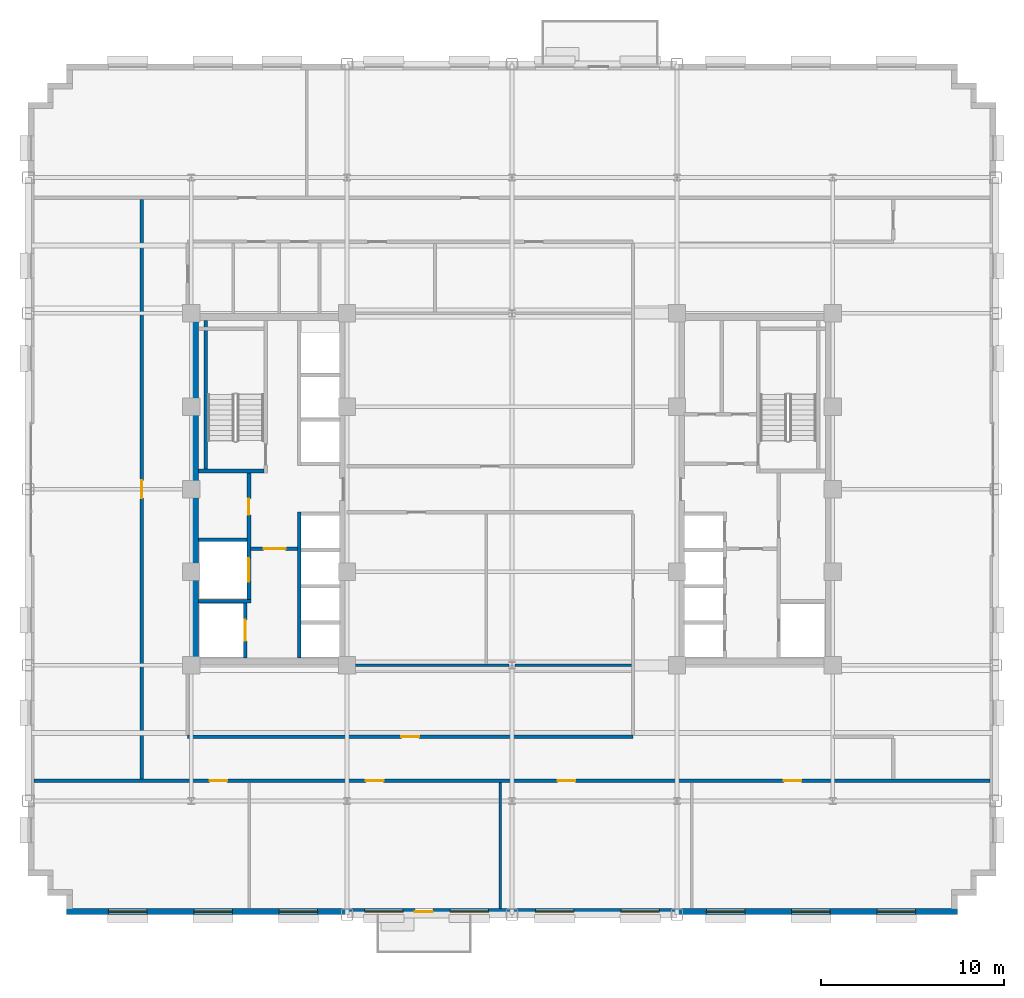
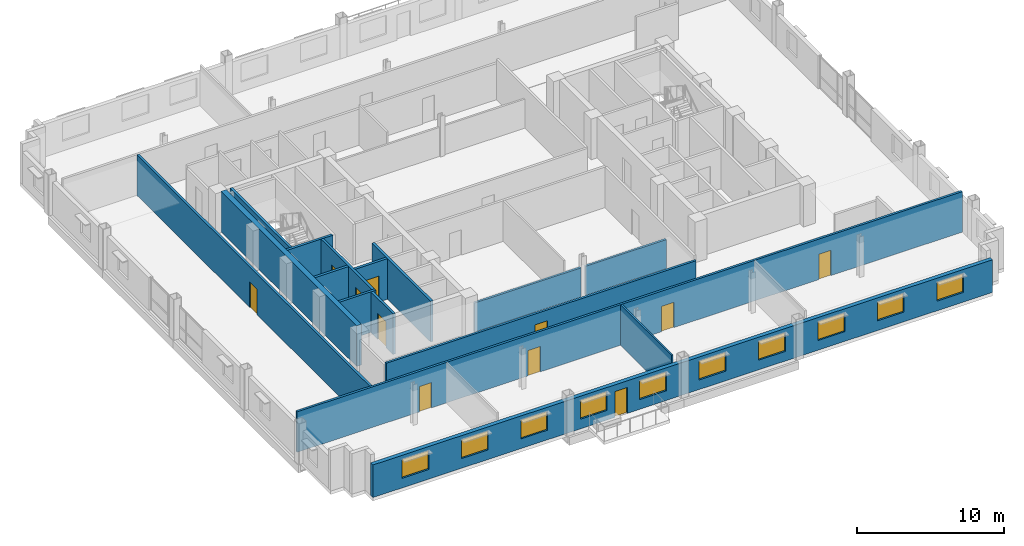
# One storey, part 6 of 15: 16 walls, 11 doors, 10 windows, 21 openings.
"""IFC4 building model written with IfcOpenShell, lengths in metres."""

from ifc_helpers import new_model, si_unit, direction, frame, frame_2d, origin, place, context, subcontext, project, spatial, rectangle, extrude, source, transform, mapped, material, layer, layer_set, type_object, type_shapes, element, fill, save


model = new_model("IFC4")

# Units and contexts
model_context = context("Model", 3, precision=1e-05, world=origin(), true_north=direction((0.0, 1.0)))
body_context = subcontext(model_context, "Body", "Model", "MODEL_VIEW")
ifc_project = project(units=[si_unit("LENGTHUNIT", "METRE"), si_unit("AREAUNIT", "SQUARE_METRE"), si_unit("VOLUMEUNIT", "CUBIC_METRE"), si_unit("PLANEANGLEUNIT", "RADIAN"), si_unit("MASSUNIT", "GRAM", prefix="KILO")], contexts=[model_context])

# Site, building, storey
site_placement = place(None, origin())
site = spatial("IfcSite", under=ifc_project, at=site_placement, CompositionType="ELEMENT")
building_placement = place(site_placement, origin())
building = spatial("IfcBuilding", under=site, at=building_placement, Name="Nuvemarco Arch Tower", CompositionType="ELEMENT")
storey_placement = place(building_placement, frame((0.0, 0.0, 123.85009765625)))
storey = spatial("IfcBuildingStorey", under=building, at=storey_placement, Name="L32", CompositionType="ELEMENT", Elevation=123.85009765625)

# Wall, openings, door, windows
ifc_material_1 = material(Name="Precast concrete C45/55", Category="concrete")
ifc_layer_1 = layer(ifc_material_1, 0.320068359375, Name="EW-MID-320")
ifc_layer_set_1 = layer_set([ifc_layer_1], Name="Precast concrete C45/55")
wall_type_1 = type_object("IfcWallType", Name="EW-MID-320", PredefinedType="STANDARD", material=ifc_layer_set_1)
wall_1_placement = place(storey_placement, frame((-24.300048828125, -23.0400390625, 0.0), z_axis=(0.0, 0.0, 1.0), x_axis=(1.0, 0.0, 0.0)))
wall_1 = element("IfcWall", 1, at=wall_1_placement, inside=storey, type_object=wall_type_1, Name="L32 exterior precast facade wall 1", PredefinedType="STANDARD", context=body_context, shape_type="SweptSolid", body=[
    extrude(rectangle(XDim=48.60009765625, YDim=0.320068359375, at=frame_2d((24.300048828125, 0.0))), origin(), (0.0, 0.0, 1.0), 2.704833984375),
])
opening_1_placement = place(wall_1_placement, frame((19.97998046875, 0.0, 0.0), z_axis=(0.0, 0.0, 1.0), x_axis=(-1.0, 0.0, 0.0)))
opening_1 = element("IfcOpeningElement", 2, at=opening_1_placement, cuts=wall_1, Name="Opening ED-6", PredefinedType="OPENING", context=body_context, shape_type="SweptSolid", body=[
    extrude(rectangle(XDim=0.97998046875, YDim=2.14990234375, at=frame_2d((0.489990234375, 1.074951171875))), frame((0.0, 0.169921875, 0.0), z_axis=(0.0, -1.0, 0.0), x_axis=(1.0, 0.0, 0.0)), (0.0, 0.0, 1.0), 0.340087890625),
])
opening_2_placement = place(wall_1_placement, frame((2.280029296875, 0.0, 0.800048828125)))
opening_2 = element("IfcOpeningElement", 3, at=opening_2_placement, cuts=wall_1, Name="Opening WN-5", PredefinedType="OPENING", context=body_context, shape_type="SweptSolid", body=[
    extrude(rectangle(XDim=2.10009765625, YDim=1.56005859375, at=frame_2d((1.050048828125, 0.780029296875))), frame((0.0, 0.169921875, 0.0), z_axis=(0.0, -1.0, 0.0), x_axis=(1.0, 0.0, 0.0)), (0.0, 0.0, 1.0), 0.340087890625),
])
opening_3_placement = place(wall_1_placement, frame((6.93994140625, 0.0, 0.800048828125)))
opening_3 = element("IfcOpeningElement", 4, at=opening_3_placement, cuts=wall_1, Name="Opening WN-5", PredefinedType="OPENING", context=body_context, shape_type="SweptSolid", body=[
    extrude(rectangle(XDim=2.10009765625, YDim=1.56005859375, at=frame_2d((1.050048828125, 0.780029296875))), frame((0.0, 0.169921875, 0.0), z_axis=(0.0, -1.0, 0.0), x_axis=(1.0, 0.0, 0.0)), (0.0, 0.0, 1.0), 0.340087890625),
])
opening_4_placement = place(wall_1_placement, frame((11.60009765625, 0.0, 0.800048828125)))
opening_4 = element("IfcOpeningElement", 5, at=opening_4_placement, cuts=wall_1, Name="Opening WN-5", PredefinedType="OPENING", context=body_context, shape_type="SweptSolid", body=[
    extrude(rectangle(XDim=2.10009765625, YDim=1.56005859375, at=frame_2d((1.050048828125, 0.780029296875))), frame((0.0, 0.169921875, 0.0), z_axis=(0.0, -1.0, 0.0), x_axis=(1.0, 0.0, 0.0)), (0.0, 0.0, 1.0), 0.340087890625),
])
opening_5_placement = place(wall_1_placement, frame((16.260009765625, 0.0, 0.800048828125)))
opening_5 = element("IfcOpeningElement", 6, at=opening_5_placement, cuts=wall_1, Name="Opening WN-5", PredefinedType="OPENING", context=body_context, shape_type="SweptSolid", body=[
    extrude(rectangle(XDim=2.10009765625, YDim=1.56005859375, at=frame_2d((1.050048828125, 0.780029296875))), frame((0.0, 0.169921875, 0.0), z_axis=(0.0, -1.0, 0.0), x_axis=(1.0, 0.0, 0.0)), (0.0, 0.0, 1.0), 0.340087890625),
])
opening_6_placement = place(wall_1_placement, frame((20.919921875, 0.0, 0.800048828125)))
opening_6 = element("IfcOpeningElement", 7, at=opening_6_placement, cuts=wall_1, Name="Opening WN-5", PredefinedType="OPENING", context=body_context, shape_type="SweptSolid", body=[
    extrude(rectangle(XDim=2.10009765625, YDim=1.56005859375, at=frame_2d((1.050048828125, 0.780029296875))), frame((0.0, 0.169921875, 0.0), z_axis=(0.0, -1.0, 0.0), x_axis=(1.0, 0.0, 0.0)), (0.0, 0.0, 1.0), 0.340087890625),
])
opening_7_placement = place(wall_1_placement, frame((25.580078125, 0.0, 0.800048828125)))
opening_7 = element("IfcOpeningElement", 8, at=opening_7_placement, cuts=wall_1, Name="Opening WN-5", PredefinedType="OPENING", context=body_context, shape_type="SweptSolid", body=[
    extrude(rectangle(XDim=2.10009765625, YDim=1.56005859375, at=frame_2d((1.050048828125, 0.780029296875))), frame((0.0, 0.169921875, 0.0), z_axis=(0.0, -1.0, 0.0), x_axis=(1.0, 0.0, 0.0)), (0.0, 0.0, 1.0), 0.340087890625),
])
opening_8_placement = place(wall_1_placement, frame((30.239990234375, 0.0, 0.800048828125)))
opening_8 = element("IfcOpeningElement", 9, at=opening_8_placement, cuts=wall_1, Name="Opening WN-5", PredefinedType="OPENING", context=body_context, shape_type="SweptSolid", body=[
    extrude(rectangle(XDim=2.10009765625, YDim=1.56005859375, at=frame_2d((1.050048828125, 0.780029296875))), frame((0.0, 0.169921875, 0.0), z_axis=(0.0, -1.0, 0.0), x_axis=(1.0, 0.0, 0.0)), (0.0, 0.0, 1.0), 0.340087890625),
])
opening_9_placement = place(wall_1_placement, frame((34.89990234375, 0.0, 0.800048828125)))
opening_9 = element("IfcOpeningElement", 10, at=opening_9_placement, cuts=wall_1, Name="Opening WN-5", PredefinedType="OPENING", context=body_context, shape_type="SweptSolid", body=[
    extrude(rectangle(XDim=2.10009765625, YDim=1.56005859375, at=frame_2d((1.050048828125, 0.780029296875))), frame((0.0, 0.169921875, 0.0), z_axis=(0.0, -1.0, 0.0), x_axis=(1.0, 0.0, 0.0)), (0.0, 0.0, 1.0), 0.340087890625),
])
opening_10_placement = place(wall_1_placement, frame((39.56005859375, 0.0, 0.800048828125)))
opening_10 = element("IfcOpeningElement", 11, at=opening_10_placement, cuts=wall_1, Name="Opening WN-5", PredefinedType="OPENING", context=body_context, shape_type="SweptSolid", body=[
    extrude(rectangle(XDim=2.10009765625, YDim=1.56005859375, at=frame_2d((1.050048828125, 0.780029296875))), frame((0.0, 0.169921875, 0.0), z_axis=(0.0, -1.0, 0.0), x_axis=(1.0, 0.0, 0.0)), (0.0, 0.0, 1.0), 0.340087890625),
])
opening_11_placement = place(wall_1_placement, frame((44.219970703125, 0.0, 0.800048828125)))
opening_11 = element("IfcOpeningElement", 12, at=opening_11_placement, cuts=wall_1, Name="Opening WN-5", PredefinedType="OPENING", context=body_context, shape_type="SweptSolid", body=[
    extrude(rectangle(XDim=2.10009765625, YDim=1.56005859375, at=frame_2d((1.050048828125, 0.780029296875))), frame((0.0, 0.169921875, 0.0), z_axis=(0.0, -1.0, 0.0), x_axis=(1.0, 0.0, 0.0)), (0.0, 0.0, 1.0), 0.340087890625),
])
ifc_material_2 = material(Name="Anodised bronze and laminated glass", Category="glass")
door_type_1 = type_object("IfcDoorType", Name="DR-EXT-BALC", OperationType="NOTDEFINED", PredefinedType="DOOR", material=ifc_material_2)
shared_shape_1 = source(origin(), body_context, "Body", "SweptSolid", [
    extrude(rectangle(XDim=0.97998046875, YDim=2.14990234375, at=frame_2d((0.489990234375, 1.074951171875))), frame((0.0, 0.02490234375, 0.0), z_axis=(0.0, -1.0, 0.0), x_axis=(1.0, 0.0, 0.0)), (0.0, 0.0, 1.0), 0.050048828125),
])
type_shapes(door_type_1, [shared_shape_1])
door_1_placement = place(opening_1_placement, origin())
door_1 = element("IfcDoor", 13, at=door_1_placement, inside=storey, type_object=door_type_1, Name="L32 tree balcony access door", OperationType="SINGLE_SWING_RIGHT", OverallHeight=2.14990234375, OverallWidth=0.97998046875, PredefinedType="DOOR", context=body_context, shape_type="MappedRepresentation", body=[
    mapped(shared_shape_1, transform((0.0, 0.0, 0.0), scale=1.0)),
])
fill(opening_1, door_1)
ifc_material_3 = material(Name="Insulated solar-control glass", Category="glass")
window_type = type_object("IfcWindowType", Name="WN-MID-2100x1560", PartitioningType="DOUBLE_PANEL_VERTICAL", PredefinedType="WINDOW", material=ifc_material_3)
shared_shape_2 = source(origin(), body_context, "Body", "SweptSolid", [
    extrude(rectangle(XDim=2.10009765625, YDim=1.56005859375, at=frame_2d((1.050048828125, 0.780029296875))), frame((0.0, 0.030029296875, 0.0), z_axis=(0.0, -1.0, 0.0), x_axis=(1.0, 0.0, 0.0)), (0.0, 0.0, 1.0), 0.06005859375),
])
type_shapes(window_type, [shared_shape_2])
window_1_placement = place(opening_2_placement, origin())
window_1 = element("IfcWindow", 14, at=window_1_placement, inside=storey, type_object=window_type, Name="L32 punched facade window 1", OverallHeight=1.56005859375, OverallWidth=2.10009765625, PartitioningType="SINGLE_PANEL", PredefinedType="WINDOW", context=body_context, shape_type="MappedRepresentation", body=[
    mapped(shared_shape_2, transform((0.0, 0.0, 0.0), scale=1.0)),
])
fill(opening_2, window_1)
window_2_placement = place(opening_3_placement, origin())
window_2 = element("IfcWindow", 15, at=window_2_placement, inside=storey, type_object=window_type, Name="L32 punched facade window 2", OverallHeight=1.56005859375, OverallWidth=2.10009765625, PartitioningType="SINGLE_PANEL", PredefinedType="WINDOW", context=body_context, shape_type="MappedRepresentation", body=[
    mapped(shared_shape_2, transform((0.0, 0.0, 0.0), scale=1.0)),
])
fill(opening_3, window_2)
window_3_placement = place(opening_4_placement, origin())
window_3 = element("IfcWindow", 16, at=window_3_placement, inside=storey, type_object=window_type, Name="L32 punched facade window 3", OverallHeight=1.56005859375, OverallWidth=2.10009765625, PartitioningType="SINGLE_PANEL", PredefinedType="WINDOW", context=body_context, shape_type="MappedRepresentation", body=[
    mapped(shared_shape_2, transform((0.0, 0.0, 0.0), scale=1.0)),
])
fill(opening_4, window_3)
window_4_placement = place(opening_5_placement, origin())
window_4 = element("IfcWindow", 17, at=window_4_placement, inside=storey, type_object=window_type, Name="L32 punched facade window 4", OverallHeight=1.56005859375, OverallWidth=2.10009765625, PartitioningType="SINGLE_PANEL", PredefinedType="WINDOW", context=body_context, shape_type="MappedRepresentation", body=[
    mapped(shared_shape_2, transform((0.0, 0.0, 0.0), scale=1.0)),
])
fill(opening_5, window_4)
window_5_placement = place(opening_6_placement, origin())
window_5 = element("IfcWindow", 18, at=window_5_placement, inside=storey, type_object=window_type, Name="L32 punched facade window 5", OverallHeight=1.56005859375, OverallWidth=2.10009765625, PartitioningType="SINGLE_PANEL", PredefinedType="WINDOW", context=body_context, shape_type="MappedRepresentation", body=[
    mapped(shared_shape_2, transform((0.0, 0.0, 0.0), scale=1.0)),
])
fill(opening_6, window_5)
window_6_placement = place(opening_7_placement, origin())
window_6 = element("IfcWindow", 19, at=window_6_placement, inside=storey, type_object=window_type, Name="L32 punched facade window 6", OverallHeight=1.56005859375, OverallWidth=2.10009765625, PartitioningType="SINGLE_PANEL", PredefinedType="WINDOW", context=body_context, shape_type="MappedRepresentation", body=[
    mapped(shared_shape_2, transform((0.0, 0.0, 0.0), scale=1.0)),
])
fill(opening_7, window_6)
window_7_placement = place(opening_8_placement, origin())
window_7 = element("IfcWindow", 20, at=window_7_placement, inside=storey, type_object=window_type, Name="L32 punched facade window 7", OverallHeight=1.56005859375, OverallWidth=2.10009765625, PartitioningType="SINGLE_PANEL", PredefinedType="WINDOW", context=body_context, shape_type="MappedRepresentation", body=[
    mapped(shared_shape_2, transform((0.0, 0.0, 0.0), scale=1.0)),
])
fill(opening_8, window_7)
window_8_placement = place(opening_9_placement, origin())
window_8 = element("IfcWindow", 21, at=window_8_placement, inside=storey, type_object=window_type, Name="L32 punched facade window 8", OverallHeight=1.56005859375, OverallWidth=2.10009765625, PartitioningType="SINGLE_PANEL", PredefinedType="WINDOW", context=body_context, shape_type="MappedRepresentation", body=[
    mapped(shared_shape_2, transform((0.0, 0.0, 0.0), scale=1.0)),
])
fill(opening_9, window_8)
window_9_placement = place(opening_10_placement, origin())
window_9 = element("IfcWindow", 22, at=window_9_placement, inside=storey, type_object=window_type, Name="L32 punched facade window 9", OverallHeight=1.56005859375, OverallWidth=2.10009765625, PartitioningType="SINGLE_PANEL", PredefinedType="WINDOW", context=body_context, shape_type="MappedRepresentation", body=[
    mapped(shared_shape_2, transform((0.0, 0.0, 0.0), scale=1.0)),
])
fill(opening_10, window_9)
window_10_placement = place(opening_11_placement, origin())
window_10 = element("IfcWindow", 23, at=window_10_placement, inside=storey, type_object=window_type, Name="L32 punched facade window 10", OverallHeight=1.56005859375, OverallWidth=2.10009765625, PartitioningType="SINGLE_PANEL", PredefinedType="WINDOW", context=body_context, shape_type="MappedRepresentation", body=[
    mapped(shared_shape_2, transform((0.0, 0.0, 0.0), scale=1.0)),
])
fill(opening_11, window_10)

# Wall
ifc_material_4 = material(Name="Concrete C60/75", Category="concrete")
ifc_layer_2 = layer(ifc_material_4, 0.39990234375, Name="WL-CORE-400")
ifc_layer_set_2 = layer_set([ifc_layer_2], Name="Concrete C60/75")
wall_type_2 = type_object("IfcWallType", Name="WL-CORE-400", PredefinedType="SHEAR", material=ifc_layer_set_2)
wall_2_placement = place(storey_placement, frame((-17.300048828125, -9.205078125, 0.0), z_axis=(0.0, 0.0, 1.0), x_axis=(0.0, 1.0, 0.0)))
element("IfcWall", 24, at=wall_2_placement, inside=storey, type_object=wall_type_2, Name="L32 W-core shear wall W", PredefinedType="SHEAR", context=body_context, shape_type="SweptSolid", body=[
    extrude(rectangle(XDim=18.41015625, YDim=0.39990234375, at=frame_2d((9.205078125, 0.0))), origin(), (0.0, 0.0, 1.0), 3.369873046875),
])

# Wall, openings, doors
ifc_material_5 = material(Name="Fire-rated gypsum drywall partition")
ifc_layer_3 = layer(ifc_material_5, 0.179931640625, Name="WL-CORR-180")
ifc_layer_set_3 = layer_set([ifc_layer_3], Name="Fire-rated gypsum drywall partition")
wall_type_3 = type_object("IfcWallType", Name="WL-CORR-180", PredefinedType="PARTITIONING", material=ifc_layer_set_3)
wall_3_placement = place(storey_placement, frame((-26.080078125, -15.89990234375, 0.0), z_axis=(0.0, 0.0, 1.0), x_axis=(1.0, 0.0, 0.0)))
wall_3 = element("IfcWall", 25, at=wall_3_placement, inside=storey, type_object=wall_type_3, Name="L32 interior wall IW-L32-001", PredefinedType="PARTITIONING", context=body_context, shape_type="SweptSolid", body=[
    extrude(rectangle(XDim=52.16015625, YDim=0.179931640625, at=frame_2d((26.080078125, 0.0))), origin(), (0.0, 0.0, 1.0), 3.35986328125),
])
opening_12_placement = place(wall_3_placement, frame((18.110107421875, 0.0, 0.0)))
opening_12 = element("IfcOpeningElement", 26, at=opening_12_placement, cuts=wall_3, Name="Opening FD-5", PredefinedType="OPENING", context=body_context, shape_type="SweptSolid", body=[
    extrude(rectangle(XDim=0.9599609375, YDim=2.10009765625, at=frame_2d((0.47998046875, 1.050048828125))), frame((0.0, 0.099853515625, 0.0), z_axis=(0.0, -1.0, 0.0), x_axis=(1.0, 0.0, 0.0)), (0.0, 0.0, 1.0), 0.199951171875),
])
opening_13_placement = place(wall_3_placement, frame((40.905029296875, 0.0, 0.0)))
opening_13 = element("IfcOpeningElement", 27, at=opening_13_placement, cuts=wall_3, Name="Opening FD-5", PredefinedType="OPENING", context=body_context, shape_type="SweptSolid", body=[
    extrude(rectangle(XDim=0.9599609375, YDim=2.10009765625, at=frame_2d((0.47998046875, 1.050048828125))), frame((0.0, 0.099853515625, 0.0), z_axis=(0.0, -1.0, 0.0), x_axis=(1.0, 0.0, 0.0)), (0.0, 0.0, 1.0), 0.199951171875),
])
opening_14_placement = place(wall_3_placement, frame((28.574951171875, 0.0, 0.0)))
opening_14 = element("IfcOpeningElement", 28, at=opening_14_placement, cuts=wall_3, Name="Opening FD-5", PredefinedType="OPENING", context=body_context, shape_type="SweptSolid", body=[
    extrude(rectangle(XDim=0.9599609375, YDim=2.10009765625, at=frame_2d((0.47998046875, 1.050048828125))), frame((0.0, 0.099853515625, 0.0), z_axis=(0.0, -1.0, 0.0), x_axis=(1.0, 0.0, 0.0)), (0.0, 0.0, 1.0), 0.199951171875),
])
opening_15_placement = place(wall_3_placement, frame((9.5849609375, 0.0, 0.0)))
opening_15 = element("IfcOpeningElement", 29, at=opening_15_placement, cuts=wall_3, Name="Opening FD-5", PredefinedType="OPENING", context=body_context, shape_type="SweptSolid", body=[
    extrude(rectangle(XDim=0.9599609375, YDim=2.10009765625, at=frame_2d((0.47998046875, 1.050048828125))), frame((0.0, 0.099853515625, 0.0), z_axis=(0.0, -1.0, 0.0), x_axis=(1.0, 0.0, 0.0)), (0.0, 0.0, 1.0), 0.199951171875),
])
ifc_material_6 = material(Name="Timber fire door", Category="wood")
door_type_2 = type_object("IfcDoorType", Name="DR-CORR-FD", OperationType="NOTDEFINED", PredefinedType="DOOR", material=ifc_material_6)
shared_shape_3 = source(origin(), body_context, "Body", "SweptSolid", [
    extrude(rectangle(XDim=0.9599609375, YDim=2.10009765625, at=frame_2d((0.47998046875, 1.050048828125))), frame((0.0, 0.02490234375, 0.0), z_axis=(0.0, -1.0, 0.0), x_axis=(1.0, 0.0, 0.0)), (0.0, 0.0, 1.0), 0.050048828125),
])
type_shapes(door_type_2, [shared_shape_3])
door_2_placement = place(opening_12_placement, origin())
door_2 = element("IfcDoor", 30, at=door_2_placement, inside=storey, type_object=door_type_2, Name="L32 door DR-L32-S_2", OperationType="SINGLE_SWING_LEFT", OverallHeight=2.10009765625, OverallWidth=0.9599609375, PredefinedType="DOOR", context=body_context, shape_type="MappedRepresentation", body=[
    mapped(shared_shape_3, transform((0.0, 0.0, 0.0), scale=1.0)),
])
fill(opening_12, door_2)
door_3_placement = place(opening_13_placement, origin())
door_3 = element("IfcDoor", 31, at=door_3_placement, inside=storey, type_object=door_type_2, Name="L32 door DR-L32-S_4", OperationType="SINGLE_SWING_RIGHT", OverallHeight=2.10009765625, OverallWidth=0.9599609375, PredefinedType="DOOR", context=body_context, shape_type="MappedRepresentation", body=[
    mapped(shared_shape_3, transform((0.0, 0.0, 0.0), scale=1.0)),
])
fill(opening_13, door_3)
door_4_placement = place(opening_14_placement, origin())
door_4 = element("IfcDoor", 32, at=door_4_placement, inside=storey, type_object=door_type_2, Name="L32 door DR-L32-S_3", OperationType="SINGLE_SWING_RIGHT", OverallHeight=2.10009765625, OverallWidth=0.9599609375, PredefinedType="DOOR", context=body_context, shape_type="MappedRepresentation", body=[
    mapped(shared_shape_3, transform((0.0, 0.0, 0.0), scale=1.0)),
])
fill(opening_14, door_4)
door_5_placement = place(opening_15_placement, origin())
door_5 = element("IfcDoor", 33, at=door_5_placement, inside=storey, type_object=door_type_2, Name="L32 door DR-L32-S_1", OperationType="SINGLE_SWING_LEFT", OverallHeight=2.10009765625, OverallWidth=0.9599609375, PredefinedType="DOOR", context=body_context, shape_type="MappedRepresentation", body=[
    mapped(shared_shape_3, transform((0.0, 0.0, 0.0), scale=1.0)),
])
fill(opening_15, door_5)

# Wall, opening, door
wall_4_placement = place(storey_placement, frame((-17.699951171875, -13.5, 0.0), z_axis=(0.0, 0.0, 1.0), x_axis=(1.0, 0.0, 0.0)))
wall_4 = element("IfcWall", 34, at=wall_4_placement, inside=storey, type_object=wall_type_3, Name="L32 interior wall IW-L32-002", PredefinedType="PARTITIONING", context=body_context, shape_type="SweptSolid", body=[
    extrude(rectangle(XDim=24.300048828125, YDim=0.179931640625, at=frame_2d((12.14990234375, 0.0))), origin(), (0.0, 0.0, 1.0), 2.997802734375),
])
opening_16_placement = place(wall_4_placement, frame((11.669921875, 0.0, 0.0)))
opening_16 = element("IfcOpeningElement", 35, at=opening_16_placement, cuts=wall_4, Name="Opening FD-5", PredefinedType="OPENING", context=body_context, shape_type="SweptSolid", body=[
    extrude(rectangle(XDim=0.9599609375, YDim=2.10009765625, at=frame_2d((0.47998046875, 1.050048828125))), frame((0.0, 0.099853515625, 0.0), z_axis=(0.0, -1.0, 0.0), x_axis=(1.0, 0.0, 0.0)), (0.0, 0.0, 1.0), 0.199951171875),
])
door_6_placement = place(opening_16_placement, origin())
door_6 = element("IfcDoor", 36, at=door_6_placement, inside=storey, type_object=door_type_2, Name="L32 door DR-L32-IN_S1", OperationType="SINGLE_SWING_RIGHT", OverallHeight=2.10009765625, OverallWidth=0.9599609375, PredefinedType="DOOR", context=body_context, shape_type="MappedRepresentation", body=[
    mapped(shared_shape_3, transform((0.0, 0.0, 0.0), scale=1.0)),
])
fill(opening_16, door_6)

wall_5_placement = place(storey_placement, frame((-20.199951171875, -15.81396484375, 0.0), z_axis=(0.0, 0.0, 1.0), x_axis=(0.0, 1.0, 0.0)))
wall_5 = element("IfcWall", 37, at=wall_5_placement, inside=storey, type_object=wall_type_3, Name="L32 interior wall IW-L32-013", PredefinedType="PARTITIONING", context=body_context, shape_type="SweptSolid", body=[
    extrude(rectangle(XDim=31.6279296875, YDim=0.179931640625, at=frame_2d((15.81396484375, 0.0))), origin(), (0.0, 0.0, 1.0), 3.35986328125),
])
opening_17_placement = place(wall_5_placement, frame((15.333984375, 0.0, 0.0)))
opening_17 = element("IfcOpeningElement", 38, at=opening_17_placement, cuts=wall_5, Name="Opening FD-5", PredefinedType="OPENING", context=body_context, shape_type="SweptSolid", body=[
    extrude(rectangle(XDim=0.9599609375, YDim=2.10009765625, at=frame_2d((0.47998046875, 1.050048828125))), frame((0.0, 0.099853515625, 0.0), z_axis=(0.0, -1.0, 0.0), x_axis=(1.0, 0.0, 0.0)), (0.0, 0.0, 1.0), 0.199951171875),
])
door_7_placement = place(opening_17_placement, origin())
door_7 = element("IfcDoor", 39, at=door_7_placement, inside=storey, type_object=door_type_2, Name="L32 door DR-L32-W_1", OperationType="SINGLE_SWING_LEFT", OverallHeight=2.10009765625, OverallWidth=0.9599609375, PredefinedType="DOOR", context=body_context, shape_type="MappedRepresentation", body=[
    mapped(shared_shape_3, transform((0.0, 0.0, 0.0), scale=1.0)),
])
fill(opening_17, door_7)

# Walls
ifc_material_7 = material(Name="Glazed acoustic office partition")
ifc_layer_4 = layer(ifc_material_7, 0.1298828125, Name="WL-EXEC-130")
ifc_layer_set_4 = layer_set([ifc_layer_4], Name="Glazed acoustic office partition")
wall_type_4 = type_object("IfcWallType", Name="WL-EXEC-130", PredefinedType="PARTITIONING", material=ifc_layer_set_4)
wall_6_placement = place(storey_placement, frame((-0.64990234375, -22.8798828125, 0.0), z_axis=(0.0, 0.0, 1.0), x_axis=(0.0, 1.0, 0.0)))
element("IfcWall", 40, at=wall_6_placement, inside=storey, type_object=wall_type_4, Name="L32 interior wall IW-L32-023", PredefinedType="PARTITIONING", context=body_context, shape_type="SweptSolid", body=[
    extrude(rectangle(XDim=6.893798828125, YDim=0.1298828125, at=frame_2d((3.44677734375, 0.0))), origin(), (0.0, 0.0, 1.0), 3.35986328125),
])
ifc_material_8 = material(Name="Concrete C50/60", Category="concrete")
ifc_layer_5 = layer(ifc_material_8, 0.199951171875, Name="WL-SHAFT-220")
ifc_layer_set_5 = layer_set([ifc_layer_5], Name="Concrete C50/60")
wall_type_5 = type_object("IfcWallType", Name="WL-SHAFT-220", PredefinedType="SHEAR", material=ifc_layer_set_5)
wall_7_placement = place(storey_placement, frame((-17.10498046875, 1.0, 0.0), z_axis=(0.0, 0.0, 1.0), x_axis=(1.0, 0.0, 0.0)))
element("IfcWall", 41, at=wall_7_placement, inside=storey, type_object=wall_type_5, Name="L32 structural shaft wall SW-L32-W-ST1S", PredefinedType="SHEAR", context=body_context, shape_type="SweptSolid", body=[
    extrude(rectangle(XDim=3.570068359375, YDim=0.199951171875, at=frame_2d((1.78515625, 0.0))), origin(), (0.0, 0.0, 1.0), 3.369873046875),
])
wall_8_placement = place(storey_placement, frame((-16.699951171875, 1.094970703125, 0.0), z_axis=(0.0, 0.0, 1.0), x_axis=(0.0, 1.0, 0.0)))
element("IfcWall", 42, at=wall_8_placement, inside=storey, type_object=wall_type_5, Name="L32 structural shaft wall SW-L32-W-ST1W", PredefinedType="SHEAR", context=body_context, shape_type="SweptSolid", body=[
    extrude(rectangle(XDim=8.110107421875, YDim=0.199951171875, at=frame_2d((4.05517578125, 0.0))), origin(), (0.0, 0.0, 1.0), 3.369873046875),
])

# Wall, opening, door
wall_9_placement = place(storey_placement, frame((-14.550048828125, -9.205078125, 0.0), z_axis=(0.0, 0.0, 1.0), x_axis=(0.0, 1.0, 0.0)))
wall_9 = element("IfcWall", 43, at=wall_9_placement, inside=storey, type_object=wall_type_5, Name="L32 structural shaft wall SW-L32-W-SHE", PredefinedType="SHEAR", context=body_context, shape_type="SweptSolid", body=[
    extrude(rectangle(XDim=3.010009765625, YDim=0.199951171875, at=frame_2d((1.5048828125, 0.0))), origin(), (0.0, 0.0, 1.0), 3.369873046875),
])
opening_18_placement = place(wall_9_placement, frame((0.929931640625, 0.0, 0.0)))
opening_18 = element("IfcOpeningElement", 44, at=opening_18_placement, cuts=wall_9, Name="Opening LD-2", PredefinedType="OPENING", context=body_context, shape_type="SweptSolid", body=[
    extrude(rectangle(XDim=1.14990234375, YDim=2.14990234375, at=frame_2d((0.574951171875, 1.074951171875))), frame((0.0, 0.10986328125, 0.0), z_axis=(0.0, -1.0, 0.0), x_axis=(1.0, 0.0, 0.0)), (0.0, 0.0, 1.0), 0.219970703125),
])
ifc_material_9 = material(Name="Stainless steel lift door", Category="steel")
door_type_3 = type_object("IfcDoorType", Name="DR-LIFT-FIRE", OperationType="DOUBLE_DOOR_SLIDING", PredefinedType="DOOR", material=ifc_material_9)
shared_shape_4 = source(origin(), body_context, "Body", "SweptSolid", [
    extrude(rectangle(XDim=1.14990234375, YDim=2.14990234375, at=frame_2d((0.574951171875, 1.074951171875))), frame((0.0, 0.02490234375, 0.0), z_axis=(0.0, -1.0, 0.0), x_axis=(1.0, 0.0, 0.0)), (0.0, 0.0, 1.0), 0.050048828125),
])
type_shapes(door_type_3, [shared_shape_4])
door_8_placement = place(opening_18_placement, origin())
door_8 = element("IfcDoor", 45, at=door_8_placement, inside=storey, type_object=door_type_3, Name="L32 Lift landing sliding door FFL-1", OperationType="DOUBLE_DOOR_SLIDING", OverallHeight=2.14990234375, OverallWidth=1.14990234375, PredefinedType="DOOR", context=body_context, shape_type="MappedRepresentation", body=[
    mapped(shared_shape_4, transform((0.0, 0.0, 0.0), scale=1.0)),
])
fill(opening_18, door_8)

# Wall, openings, doors
wall_10_placement = place(storey_placement, frame((-14.35009765625, -6.199951171875, 0.0), z_axis=(0.0, 0.0, 1.0), x_axis=(0.0, 1.0, 0.0)))
wall_10 = element("IfcWall", 46, at=wall_10_placement, inside=storey, type_object=wall_type_5, Name="L32 structural shaft wall SW-L32-W-SVE", PredefinedType="SHEAR", context=body_context, shape_type="SweptSolid", body=[
    extrude(rectangle(XDim=7.10498046875, YDim=0.199951171875, at=frame_2d((3.552490234375, 0.0))), origin(), (0.0, 0.0, 1.0), 3.369873046875),
])
opening_19_placement = place(wall_10_placement, frame((5.68994140625, 0.0, 0.0), z_axis=(0.0, 0.0, 1.0), x_axis=(-1.0, 0.0, 0.0)))
opening_19 = element("IfcOpeningElement", 47, at=opening_19_placement, cuts=wall_10, Name="Opening FD-4", PredefinedType="OPENING", context=body_context, shape_type="SweptSolid", body=[
    extrude(rectangle(XDim=0.8798828125, YDim=2.10009765625, at=frame_2d((0.43994140625, 1.050048828125))), frame((0.0, 0.10986328125, 0.0), z_axis=(0.0, -1.0, 0.0), x_axis=(1.0, 0.0, 0.0)), (0.0, 0.0, 1.0), 0.219970703125),
])
opening_20_placement = place(wall_10_placement, frame((1.14990234375, 0.0, 0.0)))
opening_20 = element("IfcOpeningElement", 48, at=opening_20_placement, cuts=wall_10, Name="Opening LD-3", PredefinedType="OPENING", context=body_context, shape_type="SweptSolid", body=[
    extrude(rectangle(XDim=1.300048828125, YDim=2.199951171875, at=frame_2d((0.64990234375, 1.10009765625))), frame((0.0, 0.10986328125, 0.0), z_axis=(0.0, -1.0, 0.0), x_axis=(1.0, 0.0, 0.0)), (0.0, 0.0, 1.0), 0.219970703125),
])
ifc_material_10 = material(Name="Anodised steel fire door", Category="steel")
door_type_4 = type_object("IfcDoorType", Name="DR-RISER-FD", OperationType="NOTDEFINED", PredefinedType="DOOR", material=ifc_material_10)
shared_shape_5 = source(origin(), body_context, "Body", "SweptSolid", [
    extrude(rectangle(XDim=0.8798828125, YDim=2.10009765625, at=frame_2d((0.43994140625, 1.050048828125))), frame((0.0, 0.02490234375, 0.0), z_axis=(0.0, -1.0, 0.0), x_axis=(1.0, 0.0, 0.0)), (0.0, 0.0, 1.0), 0.050048828125),
])
type_shapes(door_type_4, [shared_shape_5])
door_9_placement = place(opening_19_placement, origin())
door_9 = element("IfcDoor", 49, at=door_9_placement, inside=storey, type_object=door_type_4, Name="L32 door FD-L32-WRIS", OperationType="SINGLE_SWING_RIGHT", OverallHeight=2.10009765625, OverallWidth=0.8798828125, PredefinedType="DOOR", context=body_context, shape_type="MappedRepresentation", body=[
    mapped(shared_shape_5, transform((0.0, 0.0, 0.0), scale=1.0)),
])
fill(opening_19, door_9)
door_type_5 = type_object("IfcDoorType", Name="DR-LIFT-SERV", OperationType="DOUBLE_DOOR_SLIDING", PredefinedType="DOOR", material=ifc_material_9)
shared_shape_6 = source(origin(), body_context, "Body", "SweptSolid", [
    extrude(rectangle(XDim=1.300048828125, YDim=2.199951171875, at=frame_2d((0.64990234375, 1.10009765625))), frame((0.0, 0.02490234375, 0.0), z_axis=(0.0, -1.0, 0.0), x_axis=(1.0, 0.0, 0.0)), (0.0, 0.0, 1.0), 0.050048828125),
])
type_shapes(door_type_5, [shared_shape_6])
door_10_placement = place(opening_20_placement, origin())
door_10 = element("IfcDoor", 50, at=door_10_placement, inside=storey, type_object=door_type_5, Name="L32 Lift landing sliding door SVL-1", OperationType="DOUBLE_DOOR_SLIDING", OverallHeight=2.199951171875, OverallWidth=1.300048828125, PredefinedType="DOOR", context=body_context, shape_type="MappedRepresentation", body=[
    mapped(shared_shape_6, transform((0.0, 0.0, 0.0), scale=1.0)),
])
fill(opening_20, door_10)

# Walls
wall_11_placement = place(storey_placement, frame((-17.10498046875, -6.10009765625, 0.0), z_axis=(0.0, 0.0, 1.0), x_axis=(1.0, 0.0, 0.0)))
element("IfcWall", 51, at=wall_11_placement, inside=storey, type_object=wall_type_5, Name="L32 structural shaft wall SW-L32-W-SH1", PredefinedType="SHEAR", context=body_context, shape_type="SweptSolid", body=[
    extrude(rectangle(XDim=2.85498046875, YDim=0.199951171875, at=frame_2d((1.427490234375, 0.0))), origin(), (0.0, 0.0, 1.0), 3.369873046875),
])
wall_12_placement = place(storey_placement, frame((-17.10498046875, -2.75, 0.0), z_axis=(0.0, 0.0, 1.0), x_axis=(1.0, 0.0, 0.0)))
element("IfcWall", 52, at=wall_12_placement, inside=storey, type_object=wall_type_5, Name="L32 structural shaft wall SW-L32-W-SH2", PredefinedType="SHEAR", context=body_context, shape_type="SweptSolid", body=[
    extrude(rectangle(XDim=2.659912109375, YDim=0.199951171875, at=frame_2d((1.330078125, 0.0))), origin(), (0.0, 0.0, 1.0), 3.369873046875),
])
wall_13_placement = place(storey_placement, frame((-11.60009765625, -9.205078125, 0.0), z_axis=(0.0, 0.0, 1.0), x_axis=(0.0, 1.0, 0.0)))
element("IfcWall", 53, at=wall_13_placement, inside=storey, type_object=wall_type_5, Name="L32 structural shaft wall SW-L32-W-PLW", PredefinedType="SHEAR", context=body_context, shape_type="SweptSolid", body=[
    extrude(rectangle(XDim=7.97509765625, YDim=0.199951171875, at=frame_2d((3.987548828125, 0.0))), origin(), (0.0, 0.0, 1.0), 3.369873046875),
])

# Wall, opening, door
wall_14_placement = place(storey_placement, frame((-14.2548828125, -3.25, 0.0), z_axis=(0.0, 0.0, 1.0), x_axis=(1.0, 0.0, 0.0)))
wall_14 = element("IfcWall", 54, at=wall_14_placement, inside=storey, type_object=wall_type_5, Name="L32 structural shaft wall SW-L32-W-FFN", PredefinedType="SHEAR", context=body_context, shape_type="SweptSolid", body=[
    extrude(rectangle(XDim=2.559814453125, YDim=0.199951171875, at=frame_2d((1.27978515625, 0.0))), origin(), (0.0, 0.0, 1.0), 3.369873046875),
])
opening_21_placement = place(wall_14_placement, frame((0.705078125, 0.0, 0.0)))
opening_21 = element("IfcOpeningElement", 55, at=opening_21_placement, cuts=wall_14, Name="Opening FD-2", PredefinedType="OPENING", context=body_context, shape_type="SweptSolid", body=[
    extrude(rectangle(XDim=1.199951171875, YDim=2.14990234375, at=frame_2d((0.60009765625, 1.074951171875))), frame((0.0, 0.10986328125, 0.0), z_axis=(0.0, -1.0, 0.0), x_axis=(1.0, 0.0, 0.0)), (0.0, 0.0, 1.0), 0.219970703125),
])
door_type_6 = type_object("IfcDoorType", Name="DR-FFLOB-FD", OperationType="NOTDEFINED", PredefinedType="DOOR", material=ifc_material_10)
shared_shape_7 = source(origin(), body_context, "Body", "SweptSolid", [
    extrude(rectangle(XDim=1.199951171875, YDim=2.14990234375, at=frame_2d((0.60009765625, 1.074951171875))), frame((0.0, 0.02490234375, 0.0), z_axis=(0.0, -1.0, 0.0), x_axis=(1.0, 0.0, 0.0)), (0.0, 0.0, 1.0), 0.050048828125),
])
type_shapes(door_type_6, [shared_shape_7])
door_11_placement = place(opening_21_placement, origin())
door_11 = element("IfcDoor", 56, at=door_11_placement, inside=storey, type_object=door_type_6, Name="L32 door FD-L32-WFF1", OperationType="SINGLE_SWING_RIGHT", OverallHeight=2.14990234375, OverallWidth=1.199951171875, PredefinedType="DOOR", context=body_context, shape_type="MappedRepresentation", body=[
    mapped(shared_shape_7, transform((0.0, 0.0, 0.0), scale=1.0)),
])
fill(opening_21, door_11)

# Walls
ifc_material_11 = material(Name="Acoustic gypsum drywall partition")
ifc_layer_6 = layer(ifc_material_11, 0.159912109375, Name="WL-TENANT-160")
ifc_layer_set_6 = layer_set([ifc_layer_6], Name="Acoustic gypsum drywall partition")
wall_type_6 = type_object("IfcWallType", Name="WL-TENANT-160", PredefinedType="PARTITIONING", material=ifc_layer_set_6)
wall_15_placement = place(storey_placement, frame((-8.529052734375, -9.60009765625, 0.0), z_axis=(0.0, 0.0, 1.0), x_axis=(1.0, 0.0, 0.0)))
element("IfcWall", 57, at=wall_15_placement, inside=storey, type_object=wall_type_6, Name="L32 interior wall IW-L32-004", PredefinedType="PARTITIONING", context=body_context, shape_type="SweptSolid", body=[
    extrude(rectangle(XDim=8.35302734375, YDim=0.159912109375, at=frame_2d((4.176513671875, 0.0))), origin(), (0.0, 0.0, 1.0), 2.40478515625),
])
wall_16_placement = place(storey_placement, frame((0.176025390625, -9.60009765625, 0.0), z_axis=(0.0, 0.0, 1.0), x_axis=(1.0, 0.0, 0.0)))
element("IfcWall", 58, at=wall_16_placement, inside=storey, type_object=wall_type_6, Name="L32 interior wall IW-L32-005", PredefinedType="PARTITIONING", context=body_context, shape_type="SweptSolid", body=[
    extrude(rectangle(XDim=6.337890625, YDim=0.159912109375, at=frame_2d((3.1689453125, 0.0))), origin(), (0.0, 0.0, 1.0), 2.40478515625),
])

save(model, "model.ifc")
